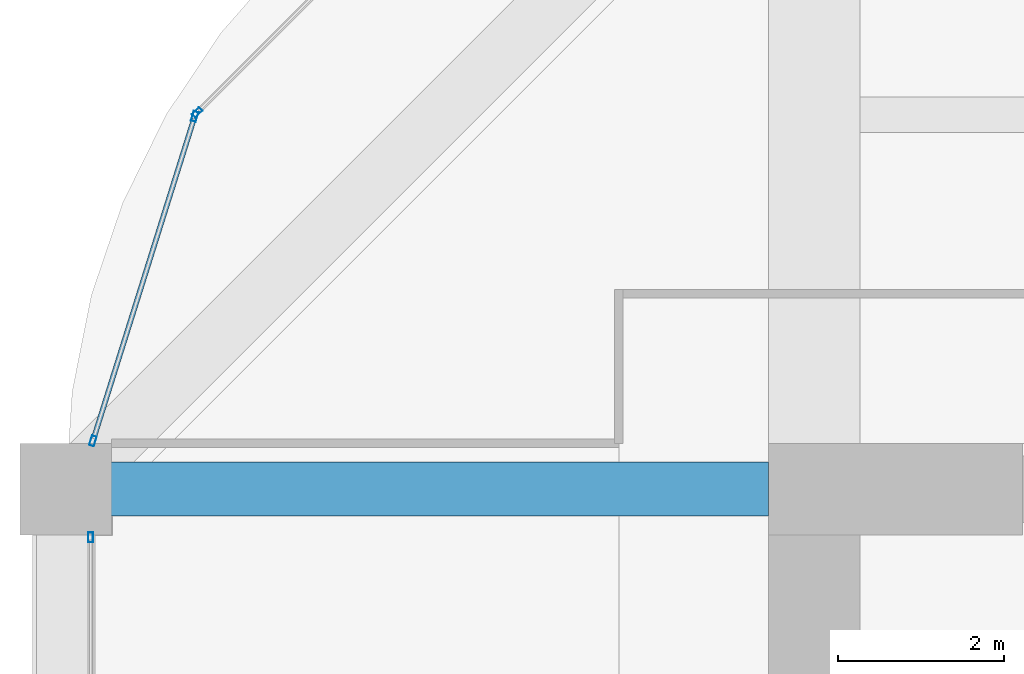
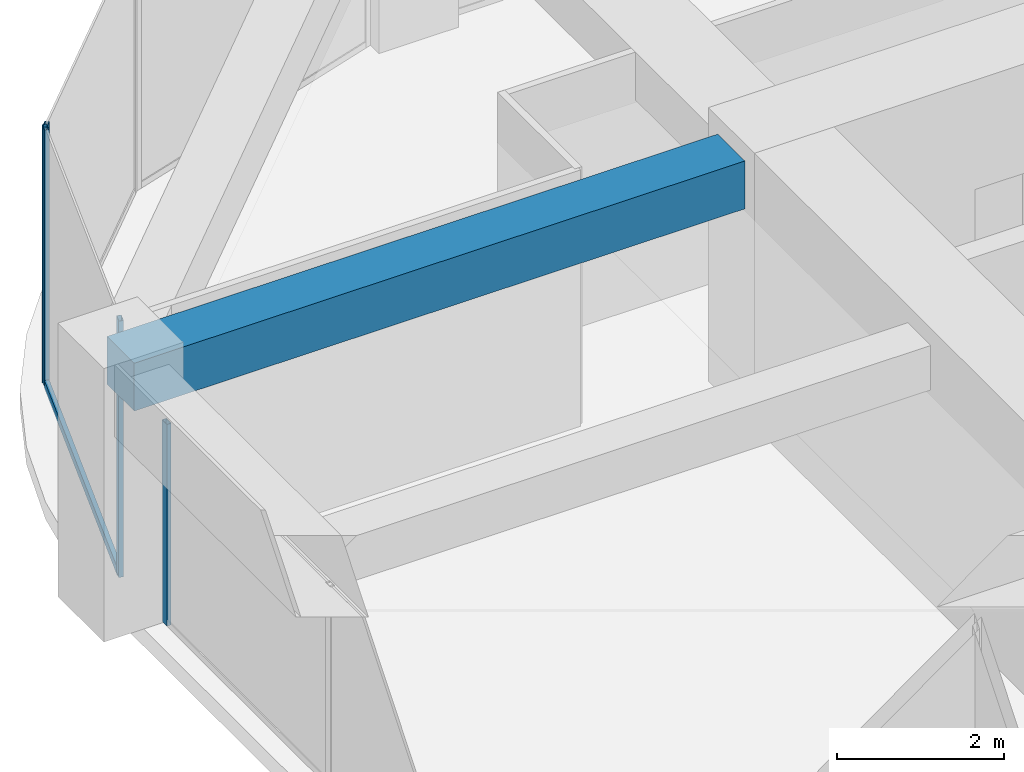
# One storey, part 28 of 45: 5 members, 1 beam, 3 elements without a shape of their own.
"""IFC4 building model written with IfcOpenShell, lengths in metres."""

from ifc_helpers import new_model, si_unit, direction, frame, origin, origin_2d, place, context, subcontext, project, spatial, rectangle, hollow_rectangle, extrude, material, material_profile, profile_set, type_object, element, aggregate, save


model = new_model("IFC4")

# Units and contexts
model_context = context("Model", 3, precision=1e-05, world=origin(), true_north=direction((0.0, 1.0)))
body_context = subcontext(model_context, "Body", "Model", "MODEL_VIEW")
ifc_project = project(units=[si_unit("LENGTHUNIT", "METRE"), si_unit("AREAUNIT", "SQUARE_METRE"), si_unit("VOLUMEUNIT", "CUBIC_METRE"), si_unit("PLANEANGLEUNIT", "RADIAN"), si_unit("MASSUNIT", "GRAM", prefix="KILO")], contexts=[model_context])

# Site, building, storey
site_placement = place(None, origin())
site = spatial("IfcSite", under=ifc_project, at=site_placement, CompositionType="ELEMENT")
building_placement = place(site_placement, origin())
building = spatial("IfcBuilding", under=site, at=building_placement, Name="Zorevar Civic Tower", CompositionType="ELEMENT")
storey_placement = place(building_placement, frame((0.0, 0.0, 291.39990234375)))
storey = spatial("IfcBuildingStorey", under=building, at=storey_placement, Name="L71", CompositionType="ELEMENT", Elevation=291.39990234375)

# Beam
ifc_material_1 = material(Name="Concrete C50/60", Category="concrete")
ifc_material_profile_1 = material_profile(ifc_material_1, rectangle(XDim=0.64990234375, YDim=0.699951171875, at=origin_2d()), Name="RC 650x700")
ifc_profile_set_1 = profile_set([ifc_material_profile_1], Name="Concrete C50/60")
beam_type = type_object("IfcBeamType", Name="Beam RC 650x700", PredefinedType="BEAM", material=ifc_profile_set_1)
beam_placement = place(storey_placement, frame((9.0, 36.0, 3.400146484375), z_axis=(1.0, 0.0, 0.0), x_axis=(0.0, 1.0, 0.0)))
element("IfcBeam", 1, at=beam_placement, inside=storey, type_object=beam_type, Name="Girder L72", PredefinedType="BEAM", context=body_context, shape_type="SweptSolid", body=[
    extrude(rectangle(XDim=0.64990234375, YDim=0.699951171875, at=origin_2d()), origin(), (0.0, 0.0, 1.0), 8.449951171875),
])

# Curtain wall, member
ifc_material_2 = material(Name="Dark grey solar-control glass in black aluminium frame", Category="aluminium")
curtain_wall_type = type_object("IfcCurtainWallType", Name="Curtain wall CW5 top zone", PredefinedType="NOTDEFINED", material=ifc_material_2)
curtain_wall_1_placement = place(storey_placement, origin())
curtain_wall_1 = element("IfcCurtainWall", 2, at=curtain_wall_1_placement, inside=storey, type_object=curtain_wall_type, Name="CW5 L71", PredefinedType="NOTDEFINED")
ifc_material_3 = material(Name="Aluminium, black anodised", Category="aluminium")
ifc_material_profile_2 = material_profile(ifc_material_3, hollow_rectangle(XDim=0.06005859375, YDim=0.1201171875, WallThickness=0.0029296875, at=origin_2d()), Name="AL 120x60x3")
ifc_profile_set_2 = profile_set([ifc_material_profile_2], Name="Aluminium, black anodised")
member_type_1 = type_object("IfcMemberType", Name="CW5 mullion AL 120x60x3", PredefinedType="MULLION", material=ifc_profile_set_2)
member_1_placement = place(storey_placement, frame((9.300048828125, 35.419921875, 0.0), z_axis=(0.0, 0.0, 1.0), x_axis=(-1.0, 0.0, 0.0)))
member_1 = element("IfcMember", 3, at=member_1_placement, type_object=member_type_1, Name="CW5 mullion 3", PredefinedType="MULLION", context=body_context, shape_type="SweptSolid", body=[
    extrude(hollow_rectangle(XDim=0.06005859375, YDim=0.1201171875, WallThickness=0.0029296875, at=origin_2d()), origin(), (0.0, 0.0, 1.0), 2.9501953125),
])
aggregate(curtain_wall_1, [member_1])

curtain_wall_2_placement = place(storey_placement, origin())
curtain_wall_2 = element("IfcCurtainWall", 4, at=curtain_wall_2_placement, inside=storey, type_object=curtain_wall_type, Name="CW5 L71", PredefinedType="NOTDEFINED")
member_2_placement = place(storey_placement, frame((10.580322265625, 40.529052734375, 0.0), z_axis=(0.0, 0.0, 1.0), x_axis=(0.707106781187, -0.707106781187, 0.0)))
member_2 = element("IfcMember", 5, at=member_2_placement, type_object=member_type_1, Name="CW5 mullion 2", PredefinedType="MULLION", context=body_context, shape_type="SweptSolid", body=[
    extrude(hollow_rectangle(XDim=0.06005859375, YDim=0.1201171875, WallThickness=0.0029296875, at=origin_2d()), origin(), (0.0, 0.0, 1.0), 3.75),
])
aggregate(curtain_wall_2, [member_2])

# Curtain wall, members
curtain_wall_3_placement = place(storey_placement, origin())
curtain_wall_3 = element("IfcCurtainWall", 6, at=curtain_wall_3_placement, inside=storey, type_object=curtain_wall_type, Name="CW5 L71", PredefinedType="NOTDEFINED")
member_3_placement = place(storey_placement, frame((10.550048828125, 40.479248046875, 0.0), z_axis=(0.0, 0.0, 1.0), x_axis=(0.954153437674, -0.299317920238, 0.0)))
member_3 = element("IfcMember", 7, at=member_3_placement, type_object=member_type_1, Name="CW5 mullion 1", PredefinedType="MULLION", context=body_context, shape_type="SweptSolid", body=[
    extrude(hollow_rectangle(XDim=0.06005859375, YDim=0.1201171875, WallThickness=0.0029296875, at=origin_2d()), origin(), (0.0, 0.0, 1.0), 3.75),
])
member_4_placement = place(storey_placement, frame((9.326416015625, 36.57861328125, 0.0), z_axis=(0.0, 0.0, 1.0), x_axis=(0.954153437674, -0.299317920238, 0.0)))
member_4 = element("IfcMember", 8, at=member_4_placement, type_object=member_type_1, Name="CW5 mullion 2", PredefinedType="MULLION", context=body_context, shape_type="SweptSolid", body=[
    extrude(hollow_rectangle(XDim=0.06005859375, YDim=0.1201171875, WallThickness=0.0029296875, at=origin_2d()), origin(), (0.0, 0.0, 1.0), 3.75),
])
ifc_material_4 = material(Name="Aluminium, black anodised", Category="aluminium")
ifc_material_profile_3 = material_profile(ifc_material_4, hollow_rectangle(XDim=0.06005859375, YDim=0.1201171875, WallThickness=0.0029296875, at=origin_2d()), Name="AL 120x60x3")
ifc_profile_set_3 = profile_set([ifc_material_profile_3], Name="Aluminium, black anodised")
member_type_2 = type_object("IfcMemberType", Name="CW5 transom AL 120x60x3", PredefinedType="USERDEFINED", material=ifc_profile_set_3)
member_5_placement = place(storey_placement, frame((10.541015625, 40.45068359375, 0.030029296875), z_axis=(-0.299285978047, -0.954163457351, 0.0), x_axis=(0.954163457351, -0.299285978047, 0.0)))
member_5 = element("IfcMember", 9, at=member_5_placement, type_object=member_type_2, Name="CW5 sill transom", ObjectType="TRANSOM", PredefinedType="USERDEFINED", context=body_context, shape_type="SweptSolid", body=[
    extrude(hollow_rectangle(XDim=0.06005859375, YDim=0.1201171875, WallThickness=0.0029296875, at=origin_2d()), origin(), (0.0, 0.0, 1.0), 4.028076171875),
])
aggregate(curtain_wall_3, [member_3, member_4, member_5])

save(model, "model.ifc")
